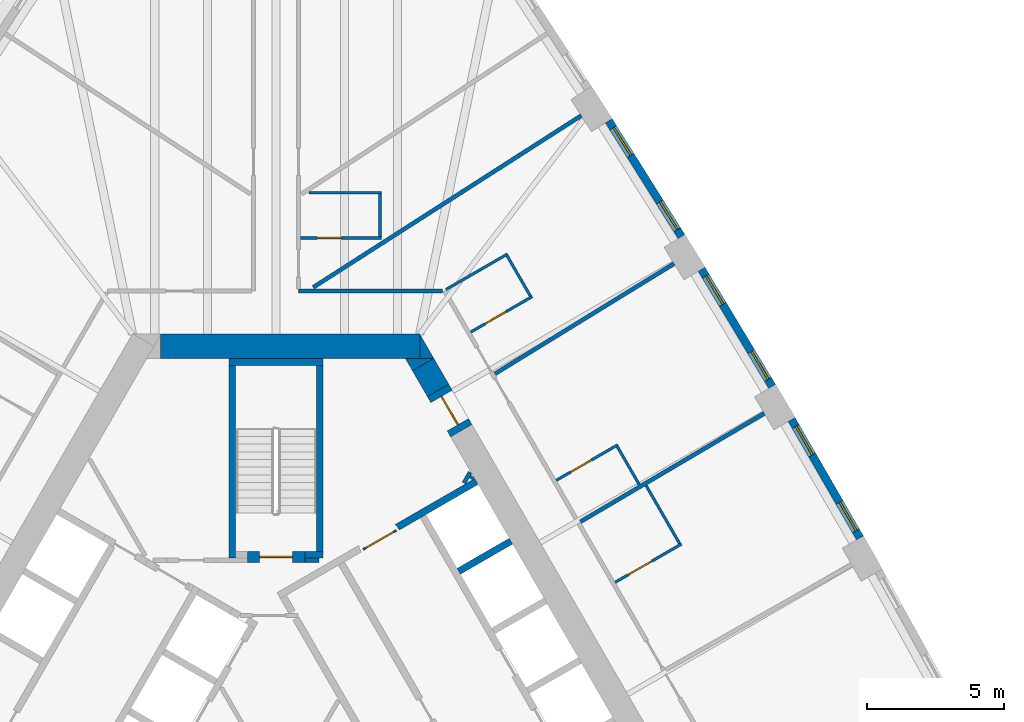
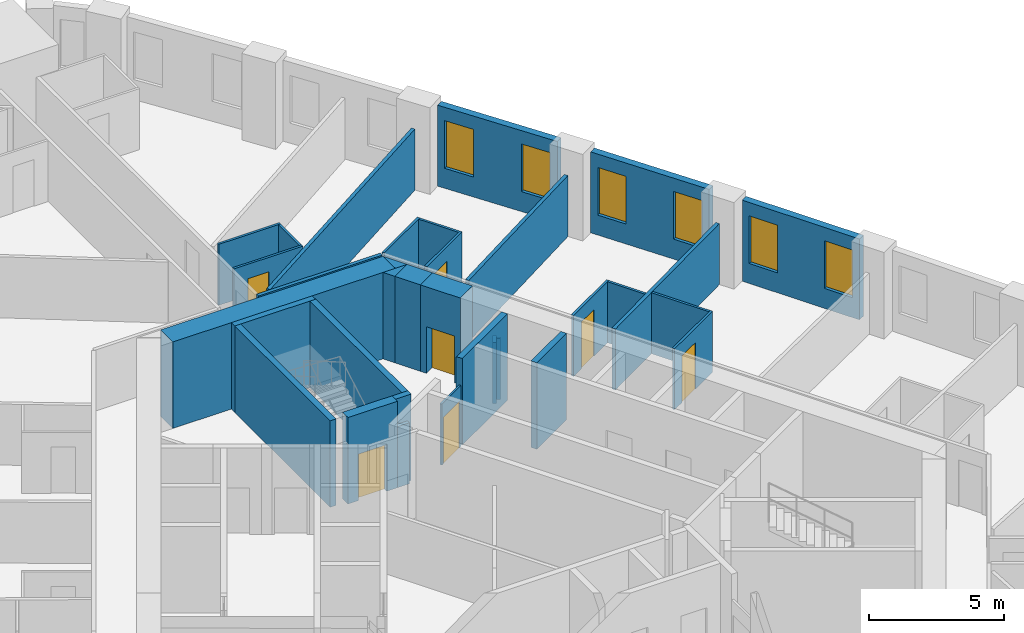
# One storey, part 10 of 12: 33 walls, 7 doors, 6 windows, 13 openings.
"""IFC4 building model written with IfcOpenShell, lengths in metres."""

import ifcopenshell
import ifcopenshell.guid

model = None  # the IFC model being written
_history = None  # IfcOwnerHistory: only IFC2X3 demands one
_inside = {}  # id of a spatial element -> (the spatial element, [elements in it])
_under = {}  # id of a project, library or spatial element -> (it, [spatial elements below it])
_declared = {}  # id of a project -> (the project, [libraries it declares])
_typed = {}  # id of a type object -> (the type object, [elements of that type])
_made_of = {}  # id of a material, layer set ... -> (it, [elements and type objects made of it])


def new_model(schema):
    """Start an empty IFC model of exactly this schema.

    Asked for "IFC4X3", IfcOpenShell would pick the latest addendum, in which some entities
    have other attributes; the version numbers below select the first issue.
    IFC2X3 requires an IfcOwnerHistory on every rooted entity: one is made here for all.
    """
    global model, _history
    if schema == "IFC4X3":
        model = ifcopenshell.file(schema_version=(4, 3, 0, 0))
    else:
        model = ifcopenshell.file(schema=schema)
    _inside.clear()
    _under.clear()
    _declared.clear()
    _typed.clear()
    _made_of.clear()
    _history = None
    if model.schema == "IFC2X3":
        org = make("IfcOrganization", Name="unknown")
        user = make(
            "IfcPersonAndOrganization",
            ThePerson=make("IfcPerson", FamilyName="unknown"),
            TheOrganization=org,
        )
        app = make(
            "IfcApplication",
            ApplicationDeveloper=org,
            Version="unknown",
            ApplicationFullName="unknown",
            ApplicationIdentifier="unknown",
        )
        _history = make(
            "IfcOwnerHistory",
            OwningUser=user,
            OwningApplication=app,
            ChangeAction="ADDED",
            CreationDate=0,
        )
    return model


def make(cls, **values):
    """One entity of the class cls with the attributes given. An attribute that is None is left unset."""
    return model.create_entity(
        cls, **{name: value for name, value in values.items() if value is not None}
    )


def rooted(cls, **values):
    """An entity with a GlobalId (a new one), such as an element, a storey or a relation."""
    return make(cls, GlobalId=ifcopenshell.guid.new(), OwnerHistory=_history, **values)


def si_unit(unit_type, name, prefix=None):
    """IfcSIUnit, for example si_unit("LENGTHUNIT", "METRE", prefix="MILLI")."""
    return make("IfcSIUnit", UnitType=unit_type, Prefix=prefix, Name=name)


def assignment(units):
    """IfcUnitAssignment: the units of a project."""
    return None if units is None else make("IfcUnitAssignment", Units=units)


def point(xyz):
    """IfcCartesianPoint."""
    return None if xyz is None else make("IfcCartesianPoint", Coordinates=xyz)


def direction(xyz):
    """IfcDirection."""
    return None if xyz is None else make("IfcDirection", DirectionRatios=xyz)


def frame(location, z_axis=None, x_axis=None):
    """IfcAxis2Placement3D, a coordinate frame: its origin and axes. An axis left out is left unset."""
    return make(
        "IfcAxis2Placement3D",
        Location=point(location),
        Axis=direction(z_axis),
        RefDirection=direction(x_axis),
    )


def frame_2d(location, x_axis=None):
    """IfcAxis2Placement2D, a coordinate frame in the plane: its origin and x axis."""
    return make(
        "IfcAxis2Placement2D", Location=point(location), RefDirection=direction(x_axis)
    )


def origin():
    """The frame at (0, 0, 0) with its axes left unset."""
    return frame((0.0, 0.0, 0.0))


def place(relative_to, where):
    """IfcLocalPlacement: puts the frame where relative to a parent placement (None: the world)."""
    return make(
        "IfcLocalPlacement", PlacementRelTo=relative_to, RelativePlacement=where
    )


def context(
    kind, dimensions, precision=None, world=None, true_north=None, identifier=None
):
    """IfcGeometricRepresentationContext, for example the 3D "Model" context."""
    return make(
        "IfcGeometricRepresentationContext",
        ContextIdentifier=identifier,
        ContextType=kind,
        CoordinateSpaceDimension=dimensions,
        Precision=precision,
        WorldCoordinateSystem=world,
        TrueNorth=true_north,
    )


def subcontext(parent, identifier, kind, view, scale=None):
    """IfcGeometricRepresentationSubContext, for example "Body" below "Model"."""
    return make(
        "IfcGeometricRepresentationSubContext",
        ContextIdentifier=identifier,
        ContextType=kind,
        ParentContext=parent,
        TargetScale=scale,
        TargetView=view,
    )


def project(units=None, contexts=None):
    """IfcProject with its units and contexts."""
    return rooted(
        "IfcProject",
        Name="project",
        RepresentationContexts=contexts,
        UnitsInContext=assignment(units),
    )


def spatial(cls, under=None, at=None, **own):
    """A site, building, storey or space (cls), placed at a placement, below another one or the project."""
    s = rooted(cls, ObjectPlacement=at, **own)
    if under is not None:
        _under.setdefault(under.id(), (under, []))[1].append(s)
    return s


def polyline(points):
    """IfcPolyline through the points."""
    return make("IfcPolyline", Points=[point(p) for p in points])


def profile(cls, at=None, kind="AREA", **sizes):
    """A parametric profile (cls). Its sizes go by their IFC names, for example OverallWidth=200.0."""
    return make(cls, ProfileType=kind, Position=at, **sizes)


def rectangle(**sizes):
    """IfcRectangleProfileDef."""
    return profile("IfcRectangleProfileDef", **sizes)


def outline(outer, holes=None, kind="AREA"):
    """IfcArbitraryClosedProfileDef: a profile drawn as a closed curve; with holes, ...WithVoids."""
    if holes is None:
        return make("IfcArbitraryClosedProfileDef", ProfileType=kind, OuterCurve=outer)
    return make(
        "IfcArbitraryProfileDefWithVoids",
        ProfileType=kind,
        OuterCurve=outer,
        InnerCurves=holes,
    )


def extrude(swept, where, along, depth):
    """IfcExtrudedAreaSolid: the profile swept, set in the frame where, extruded along a direction by depth."""
    return make(
        "IfcExtrudedAreaSolid",
        SweptArea=swept,
        Position=where,
        ExtrudedDirection=direction(along),
        Depth=depth,
    )


def shape(context_of_items, identifier, shape_type, items):
    """IfcShapeRepresentation: the items that make up one representation, for example the "Body"."""
    return make(
        "IfcShapeRepresentation",
        ContextOfItems=context_of_items,
        RepresentationIdentifier=identifier,
        RepresentationType=shape_type,
        Items=items,
    )


def material(Name=None, Category=None):
    """IfcMaterial."""
    return make("IfcMaterial", Name=Name, Category=Category)


def layer(
    of_material, thickness, ventilated=None, Name=None, Category=None, Priority=None
):
    """IfcMaterialLayer: one layer of a wall or slab, of a material (None: an air gap)."""
    return make(
        "IfcMaterialLayer",
        Material=of_material,
        LayerThickness=thickness,
        IsVentilated=ventilated,
        Name=Name,
        Category=Category,
        Priority=Priority,
    )


def layer_set(layers, Name=None):
    """IfcMaterialLayerSet."""
    return make("IfcMaterialLayerSet", MaterialLayers=layers, LayerSetName=Name)


def made_of(thing, what):
    """Note that an element or type object is made of a material, layer set ...; save() writes the relation."""
    if what is not None:
        _made_of.setdefault(what.id(), (what, []))[1].append(thing)
    return thing


def type_object(cls, material=None, **own):
    """A type object (cls), such as IfcWallType, which elements share."""
    return made_of(rooted(cls, **own), material)


def element(
    cls,
    number,
    at=None,
    inside=None,
    cuts=None,
    type_object=None,
    material=None,
    context=None,
    identifier="Body",
    shape_type=None,
    held_by="IfcProductDefinitionShape",
    body=None,
    shapes=None,
    **own,
):
    """One element of the class cls, such as IfcWall. Its Tag is "e" and its number.

    at: its placement. inside: the storey or other place that contains it. cuts: it is an
    opening in that element (IfcRelVoidsElement). A single representation is given by context,
    identifier, shape_type and body (its items); several are given by shapes. held_by: the class
    of the entity that holds the representations. save() writes the other relations.
    """
    e = rooted(cls, Tag="e%d" % number, ObjectPlacement=at, **own)
    if body is not None:
        shapes = [shape(context, identifier, shape_type, body)]
    if shapes is not None:
        e.Representation = make(held_by, Representations=shapes)
    if inside is not None:
        _inside.setdefault(inside.id(), (inside, []))[1].append(e)
    if cuts is not None:
        rooted(
            "IfcRelVoidsElement", RelatingBuildingElement=cuts, RelatedOpeningElement=e
        )
    if type_object is not None:
        _typed.setdefault(type_object.id(), (type_object, []))[1].append(e)
    return made_of(e, material)


def fill(opening, filler):
    """IfcRelFillsElement: the door or window that sits in an opening."""
    return rooted(
        "IfcRelFillsElement",
        RelatingOpeningElement=opening,
        RelatedBuildingElement=filler,
    )


def aggregate(whole, parts):
    """IfcRelAggregates: a whole, such as a stair, and the parts it consists of."""
    return rooted("IfcRelAggregates", RelatingObject=whole, RelatedObjects=parts)


def save(model, path):
    """Write the relations noted so far, then the file.

    IfcRelAggregates (storeys below a building ...), IfcRelContainedInSpatialStructure (elements
    in a storey), IfcRelDefinesByType, IfcRelAssociatesMaterial and IfcRelDeclares: one each for
    every whole, place, type object, material and project.
    """
    for whole, parts in _under.values():
        aggregate(whole, parts)
    for where, things in _inside.values():
        rooted(
            "IfcRelContainedInSpatialStructure",
            RelatedElements=things,
            RelatingStructure=where,
        )
    for kind, things in _typed.values():
        rooted("IfcRelDefinesByType", RelatedObjects=things, RelatingType=kind)
    for what, things in _made_of.values():
        rooted("IfcRelAssociatesMaterial", RelatedObjects=things, RelatingMaterial=what)
    for by, libraries in _declared.values():
        rooted("IfcRelDeclares", RelatingContext=by, RelatedDefinitions=libraries)
    model.write(path)


model = new_model("IFC4")

# Units and contexts
model_context = context("Model", 3, precision=1e-05, world=origin(), true_north=direction((0.0, 1.0)))
body_context = subcontext(model_context, "Body", "Model", "MODEL_VIEW")
ifc_project = project(units=[si_unit("LENGTHUNIT", "METRE"), si_unit("AREAUNIT", "SQUARE_METRE"), si_unit("VOLUMEUNIT", "CUBIC_METRE"), si_unit("PLANEANGLEUNIT", "RADIAN"), si_unit("MASSUNIT", "GRAM", prefix="KILO")], contexts=[model_context])

# Site, building, storey
site_placement = place(None, origin())
site = spatial("IfcSite", under=ifc_project, at=site_placement, CompositionType="ELEMENT")
building_placement = place(site_placement, origin())
building = spatial("IfcBuilding", under=site, at=building_placement, Name="Mestral Congress Tower", CompositionType="ELEMENT")
storey_placement = place(building_placement, frame((0.0, 0.0, 43.199951171875)))
storey = spatial("IfcBuildingStorey", under=building, at=storey_placement, Name="L09", CompositionType="ELEMENT", Elevation=43.199951171875)

# Walls
ifc_material_1 = material(Name="Fire-rated board partition")
ifc_layer_1 = layer(ifc_material_1, 0.14990234375)
ifc_layer_set_1 = layer_set([ifc_layer_1], Name="Fire-rated board partition")
wall_type_1 = type_object("IfcWallType", Name="Core partition 150", PredefinedType="PARTITIONING", material=ifc_layer_set_1)
wall_1_placement = place(storey_placement, frame((1.050048828125, 8.62548828125, 0.0), z_axis=(0.0, 0.0, 1.0), x_axis=(1.0, 0.0, 0.0)))
element("IfcWall", 1, at=wall_1_placement, inside=storey, type_object=wall_type_1, Name="L09 core wall", PredefinedType="PARTITIONING", context=body_context, shape_type="SweptSolid", body=[
    extrude(rectangle(XDim=0.513916015625, YDim=0.14990234375, at=frame_2d((0.2568359375, 0.0))), origin(), (0.0, 0.0, 1.0), 2.75),
])
wall_2_placement = place(storey_placement, frame((6.87158203125, 11.44970703125, 0.0), z_axis=(0.0, 0.0, 1.0), x_axis=(0.499846793097, 0.866113839764, 0.0)))
element("IfcWall", 2, at=wall_2_placement, inside=storey, type_object=wall_type_1, Name="L09 core wall", PredefinedType="PARTITIONING", context=body_context, shape_type="SweptSolid", body=[
    extrude(rectangle(XDim=0.453369140625, YDim=0.14990234375, at=frame_2d((0.2265625, 0.0))), origin(), (0.0, 0.0, 1.0), 2.75),
])
wall_3_placement = place(storey_placement, frame((7.13134765625, 11.599609375, 0.0), z_axis=(0.0, 0.0, 1.0), x_axis=(0.498600033135, 0.866832167699, 0.0)))
element("IfcWall", 3, at=wall_3_placement, inside=storey, type_object=wall_type_1, Name="L09 core wall", PredefinedType="PARTITIONING", context=body_context, shape_type="SweptSolid", body=[
    extrude(rectangle(XDim=0.106689453125, YDim=0.14990234375, at=frame_2d((0.05322265625, 0.0))), origin(), (0.0, 0.0, 1.0), 2.75),
])

# Wall, opening, door
ifc_layer_2 = layer(ifc_material_1, 0.090087890625)
ifc_layer_set_2 = layer_set([ifc_layer_2], Name="Fire-rated board partition")
wall_type_2 = type_object("IfcWallType", Name="Core partition 150 door-wall 90", PredefinedType="PARTITIONING", material=ifc_layer_set_2)
wall_4_placement = place(storey_placement, frame((3.182861328125, 9.02001953125, 0.0), z_axis=(0.0, 0.0, 1.0), x_axis=(0.866034573852, 0.49998411664, 0.0)))
wall_4 = element("IfcWall", 4, at=wall_4_placement, inside=storey, type_object=wall_type_2, Name="L09 door wall", PredefinedType="PARTITIONING", context=body_context, shape_type="SweptSolid", body=[
    extrude(rectangle(XDim=1.39990234375, YDim=0.090087890625, at=frame_2d((0.699951171875, 0.0))), origin(), (0.0, 0.0, 1.0), 2.75),
])
opening_1_placement = place(wall_4_placement, frame((0.10009765625, 0.0, 0.0)))
opening_1 = element("IfcOpeningElement", 5, at=opening_1_placement, cuts=wall_4, Name="Opening LB1-WL2", PredefinedType="OPENING", context=body_context, shape_type="SweptSolid", body=[
    extrude(rectangle(XDim=1.199951171875, YDim=2.10009765625, at=frame_2d((0.60009765625, 1.050048828125))), frame((0.0, 0.054931640625, 0.0), z_axis=(0.0, -1.0, 0.0), x_axis=(1.0, 0.0, 0.0)), (0.0, 0.0, 1.0), 0.110107421875),
])
ifc_material_2 = material(Name="Fire-rated steel door set", Category="steel")
door_type_1 = type_object("IfcDoorType", Name="Core door LB 1200x2100", OperationType="SINGLE_SWING_LEFT", PredefinedType="DOOR", material=ifc_material_2)
door_1_placement = place(opening_1_placement, origin())
door_1 = element("IfcDoor", 6, at=door_1_placement, inside=storey, type_object=door_type_1, Name="Door LB1-WL2", OperationType="SINGLE_SWING_LEFT", OverallHeight=2.10009765625, OverallWidth=1.199951171875, PredefinedType="DOOR", context=body_context, shape_type="SweptSolid", body=[
    extrude(rectangle(XDim=1.199951171875, YDim=2.10009765625, at=frame_2d((0.60009765625, 1.050048828125))), frame((0.0, 0.02490234375, 0.0), z_axis=(0.0, -1.0, 0.0), x_axis=(1.0, 0.0, 0.0)), (0.0, 0.0, 1.0), 0.050048828125),
])
fill(opening_1, door_1)

# Walls
ifc_material_3 = material(Name="Concrete C60/75", Category="concrete")
ifc_layer_3 = layer(ifc_material_3, 0.89990234375)
ifc_layer_set_3 = layer_set([ifc_layer_3], Name="Concrete C60/75")
wall_type_3 = type_object("IfcWallType", Name="Core wall RC 900", PredefinedType="SOLIDWALL", material=ifc_layer_set_3)
wall_5_placement = place(storey_placement, frame((-4.224365234375, 16.449951171875, 0.0), z_axis=(0.0, 0.0, 1.0), x_axis=(1.0, 0.0, 0.0)))
element("IfcWall", 7, at=wall_5_placement, inside=storey, type_object=wall_type_3, Name="L09 core wall", PredefinedType="SOLIDWALL", context=body_context, shape_type="SweptSolid", body=[
    extrude(rectangle(XDim=9.48779296875, YDim=0.89990234375, at=frame_2d((4.743896484375, 0.0))), origin(), (0.0, 0.0, 1.0), 3.900146484375),
])
placement = place(storey_placement, origin())
element("IfcWall", 8, at=placement, inside=storey, type_object=wall_type_3, Name="L09 core wall", PredefinedType="SOLIDWALL", context=body_context, shape_type="SweptSolid", body=[
    extrude(outline(polyline([(5.265380859375, 16.0), (5.265380859375, 16.8798828125), (5.7734375, 16.0), (5.265380859375, 16.0)])), origin(), (0.0, 0.0, 1.0), 3.900146484375),
])
wall_7_placement = place(storey_placement, frame((5.92578125, 14.836181640625, 0.0), z_axis=(0.0, 0.0, 1.0), x_axis=(-0.500076735116, 0.865981096212, 0.0)))
element("IfcWall", 9, at=wall_7_placement, inside=storey, type_object=wall_type_3, Name="L09 core wall", PredefinedType="SOLIDWALL", context=body_context, shape_type="SweptSolid", body=[
    extrude(rectangle(XDim=1.093505859375, YDim=0.89990234375, at=frame_2d((0.546875, 0.0))), origin(), (0.0, 0.0, 1.0), 3.900146484375),
])
element("IfcWall", 10, at=placement, inside=storey, type_object=wall_type_3, Name="L09 core wall", PredefinedType="SOLIDWALL", context=body_context, shape_type="SweptSolid", body=[
    extrude(outline(polyline([(4.734375, 16.0), (5.750244140625, 16.0), (4.98828125, 15.56005859375), (4.734375, 16.0)])), origin(), (0.0, 0.0, 1.0), 3.900146484375),
])

# Wall, opening, door
wall_9_placement = place(storey_placement, frame((5.92578125, 14.836181640625, 0.0), z_axis=(0.0, 0.0, 1.0), x_axis=(0.500062241894, -0.865989465428, 0.0)))
wall_9 = element("IfcWall", 11, at=wall_9_placement, inside=storey, type_object=wall_type_3, Name="L09 door wall", PredefinedType="SOLIDWALL", context=body_context, shape_type="SweptSolid", body=[
    extrude(rectangle(XDim=1.699951171875, YDim=0.89990234375, at=frame_2d((0.85009765625, 0.0))), origin(), (0.0, 0.0, 1.0), 3.900146484375),
])
opening_2_placement = place(wall_9_placement, frame((0.25, 0.0, 0.0)))
opening_2 = element("IfcOpeningElement", 12, at=opening_2_placement, cuts=wall_9, Name="Opening XD2", PredefinedType="OPENING", context=body_context, shape_type="SweptSolid", body=[
    extrude(rectangle(XDim=1.199951171875, YDim=2.10009765625, at=frame_2d((0.60009765625, 1.050048828125))), frame((0.0, 0.4599609375, 0.0), z_axis=(0.0, -1.0, 0.0), x_axis=(1.0, 0.0, 0.0)), (0.0, 0.0, 1.0), 0.919921875),
])
door_type_2 = type_object("IfcDoorType", Name="Core door XD 1200x2100", OperationType="SINGLE_SWING_LEFT", PredefinedType="DOOR", material=ifc_material_2)
door_2_placement = place(opening_2_placement, origin())
door_2 = element("IfcDoor", 13, at=door_2_placement, inside=storey, type_object=door_type_2, Name="Door XD2", OperationType="SINGLE_SWING_LEFT", OverallHeight=2.10009765625, OverallWidth=1.199951171875, PredefinedType="DOOR", context=body_context, shape_type="SweptSolid", body=[
    extrude(rectangle(XDim=1.199951171875, YDim=2.10009765625, at=frame_2d((0.60009765625, 1.050048828125))), frame((0.0, 0.02490234375, 0.0), z_axis=(0.0, -1.0, 0.0), x_axis=(1.0, 0.0, 0.0)), (0.0, 0.0, 1.0), 0.050048828125),
])
fill(opening_2, door_2)

# Wall, openings, windows
ifc_material_4 = material(Name="Precast concrete C40/50 with limestone facing", Category="masonry")
ifc_layer_4 = layer(ifc_material_4, 0.2900390625)
ifc_layer_set_4 = layer_set([ifc_layer_4], Name="Precast concrete C40/50 with limestone facing")
wall_type_4 = type_object("IfcWallType", Name="Facade stone wall 290", PredefinedType="SOLIDWALL", material=ifc_layer_set_4)
wall_10_placement = place(storey_placement, frame((21.357177734375, 9.44482421875, 0.0), z_axis=(0.0, 0.0, 1.0), x_axis=(-0.50002123722, 0.866013142123, 0.0)))
wall_10 = element("IfcWall", 14, at=wall_10_placement, inside=storey, type_object=wall_type_4, Name="Facade wall F1-04", PredefinedType="SOLIDWALL", context=body_context, shape_type="SweptSolid", body=[
    extrude(rectangle(XDim=4.998291015625, YDim=0.2900390625, at=frame_2d((2.4990234375, 0.0))), origin(), (0.0, 0.0, 1.0), 3.650146484375),
])
opening_3_placement = place(wall_10_placement, frame((0.297119140625, 0.0, 0.89990234375)))
opening_3 = element("IfcOpeningElement", 15, at=opening_3_placement, cuts=wall_10, Name="Opening W1", PredefinedType="OPENING", context=body_context, shape_type="SweptSolid", body=[
    extrude(rectangle(XDim=1.199951171875, YDim=2.14990234375, at=frame_2d((0.60009765625, 1.074951171875))), frame((0.0, 0.155029296875, 0.0), z_axis=(0.0, -1.0, 0.0), x_axis=(1.0, 0.0, 0.0)), (0.0, 0.0, 1.0), 0.31005859375),
])
opening_4_placement = place(wall_10_placement, frame((3.501220703125, 0.0, 0.89990234375)))
opening_4 = element("IfcOpeningElement", 16, at=opening_4_placement, cuts=wall_10, Name="Opening W1", PredefinedType="OPENING", context=body_context, shape_type="SweptSolid", body=[
    extrude(rectangle(XDim=1.199951171875, YDim=2.14990234375, at=frame_2d((0.60009765625, 1.074951171875))), frame((0.0, 0.155029296875, 0.0), z_axis=(0.0, -1.0, 0.0), x_axis=(1.0, 0.0, 0.0)), (0.0, 0.0, 1.0), 0.31005859375),
])
ifc_material_5 = material(Name="Clear low-emissivity double glazing", Category="glass")
window_type = type_object("IfcWindowType", Name="Facade punched window 1200 x 2150 sill 900", PartitioningType="DOUBLE_PANEL_VERTICAL", PredefinedType="WINDOW", material=ifc_material_5)
window_1_placement = place(opening_3_placement, origin())
window_1 = element("IfcWindow", 17, at=window_1_placement, inside=storey, type_object=window_type, Name="Window F1-04a", OverallHeight=2.14990234375, OverallWidth=1.199951171875, PartitioningType="DOUBLE_PANEL_VERTICAL", PredefinedType="WINDOW", context=body_context, shape_type="SweptSolid", body=[
    extrude(rectangle(XDim=1.199951171875, YDim=2.14990234375, at=frame_2d((0.60009765625, 1.074951171875))), frame((0.0, 0.01513671875, 0.0), z_axis=(0.0, -1.0, 0.0), x_axis=(1.0, 0.0, 0.0)), (0.0, 0.0, 1.0), 0.06005859375),
])
fill(opening_3, window_1)
window_2_placement = place(opening_4_placement, origin())
window_2 = element("IfcWindow", 18, at=window_2_placement, inside=storey, type_object=window_type, Name="Window F1-04b", OverallHeight=2.14990234375, OverallWidth=1.199951171875, PartitioningType="DOUBLE_PANEL_VERTICAL", PredefinedType="WINDOW", context=body_context, shape_type="SweptSolid", body=[
    extrude(rectangle(XDim=1.199951171875, YDim=2.14990234375, at=frame_2d((0.60009765625, 1.074951171875))), frame((0.0, 0.01513671875, 0.0), z_axis=(0.0, -1.0, 0.0), x_axis=(1.0, 0.0, 0.0)), (0.0, 0.0, 1.0), 0.06005859375),
])
fill(opening_4, window_2)

wall_11_placement = place(storey_placement, frame((18.143310546875, 14.985595703125, 0.0), z_axis=(0.0, 0.0, 1.0), x_axis=(-0.515938796285, 0.856625448191, 0.0)))
wall_11 = element("IfcWall", 19, at=wall_11_placement, inside=storey, type_object=wall_type_4, Name="Facade wall F1-05", PredefinedType="SOLIDWALL", context=body_context, shape_type="SweptSolid", body=[
    extrude(rectangle(XDim=4.998291015625, YDim=0.2900390625, at=frame_2d((2.4990234375, 0.0))), origin(), (0.0, 0.0, 1.0), 3.650146484375),
])
opening_5_placement = place(wall_11_placement, frame((0.297119140625, 0.0, 0.89990234375)))
opening_5 = element("IfcOpeningElement", 20, at=opening_5_placement, cuts=wall_11, Name="Opening W1", PredefinedType="OPENING", context=body_context, shape_type="SweptSolid", body=[
    extrude(rectangle(XDim=1.199951171875, YDim=2.14990234375, at=frame_2d((0.60009765625, 1.074951171875))), frame((0.0, 0.155029296875, 0.0), z_axis=(0.0, -1.0, 0.0), x_axis=(1.0, 0.0, 0.0)), (0.0, 0.0, 1.0), 0.31005859375),
])
opening_6_placement = place(wall_11_placement, frame((3.501220703125, 0.0, 0.89990234375)))
opening_6 = element("IfcOpeningElement", 21, at=opening_6_placement, cuts=wall_11, Name="Opening W1", PredefinedType="OPENING", context=body_context, shape_type="SweptSolid", body=[
    extrude(rectangle(XDim=1.199951171875, YDim=2.14990234375, at=frame_2d((0.60009765625, 1.074951171875))), frame((0.0, 0.155029296875, 0.0), z_axis=(0.0, -1.0, 0.0), x_axis=(1.0, 0.0, 0.0)), (0.0, 0.0, 1.0), 0.31005859375),
])
window_3_placement = place(opening_5_placement, origin())
window_3 = element("IfcWindow", 22, at=window_3_placement, inside=storey, type_object=window_type, Name="Window F1-05a", OverallHeight=2.14990234375, OverallWidth=1.199951171875, PartitioningType="DOUBLE_PANEL_VERTICAL", PredefinedType="WINDOW", context=body_context, shape_type="SweptSolid", body=[
    extrude(rectangle(XDim=1.199951171875, YDim=2.14990234375, at=frame_2d((0.60009765625, 1.074951171875))), frame((0.0, 0.01513671875, 0.0), z_axis=(0.0, -1.0, 0.0), x_axis=(1.0, 0.0, 0.0)), (0.0, 0.0, 1.0), 0.06005859375),
])
fill(opening_5, window_3)
window_4_placement = place(opening_6_placement, origin())
window_4 = element("IfcWindow", 23, at=window_4_placement, inside=storey, type_object=window_type, Name="Window F1-05b", OverallHeight=2.14990234375, OverallWidth=1.199951171875, PartitioningType="DOUBLE_PANEL_VERTICAL", PredefinedType="WINDOW", context=body_context, shape_type="SweptSolid", body=[
    extrude(rectangle(XDim=1.199951171875, YDim=2.14990234375, at=frame_2d((0.60009765625, 1.074951171875))), frame((0.0, 0.01513671875, 0.0), z_axis=(0.0, -1.0, 0.0), x_axis=(1.0, 0.0, 0.0)), (0.0, 0.0, 1.0), 0.06005859375),
])
fill(opening_6, window_4)

wall_12_placement = place(storey_placement, frame((14.827392578125, 20.466064453125, 0.0), z_axis=(0.0, 0.0, 1.0), x_axis=(-0.531688286542, 0.846940119462, 0.0)))
wall_12 = element("IfcWall", 24, at=wall_12_placement, inside=storey, type_object=wall_type_4, Name="Facade wall F1-06", PredefinedType="SOLIDWALL", context=body_context, shape_type="SweptSolid", body=[
    extrude(rectangle(XDim=4.998291015625, YDim=0.2900390625, at=frame_2d((2.4990234375, 0.0))), origin(), (0.0, 0.0, 1.0), 3.650146484375),
])
opening_7_placement = place(wall_12_placement, frame((0.297119140625, 0.0, 0.89990234375)))
opening_7 = element("IfcOpeningElement", 25, at=opening_7_placement, cuts=wall_12, Name="Opening W1", PredefinedType="OPENING", context=body_context, shape_type="SweptSolid", body=[
    extrude(rectangle(XDim=1.199951171875, YDim=2.14990234375, at=frame_2d((0.60009765625, 1.074951171875))), frame((0.0, 0.155029296875, 0.0), z_axis=(0.0, -1.0, 0.0), x_axis=(1.0, 0.0, 0.0)), (0.0, 0.0, 1.0), 0.31005859375),
])
opening_8_placement = place(wall_12_placement, frame((3.501220703125, 0.0, 0.89990234375)))
opening_8 = element("IfcOpeningElement", 26, at=opening_8_placement, cuts=wall_12, Name="Opening W1", PredefinedType="OPENING", context=body_context, shape_type="SweptSolid", body=[
    extrude(rectangle(XDim=1.199951171875, YDim=2.14990234375, at=frame_2d((0.60009765625, 1.074951171875))), frame((0.0, 0.155029296875, 0.0), z_axis=(0.0, -1.0, 0.0), x_axis=(1.0, 0.0, 0.0)), (0.0, 0.0, 1.0), 0.31005859375),
])
window_5_placement = place(opening_7_placement, origin())
window_5 = element("IfcWindow", 27, at=window_5_placement, inside=storey, type_object=window_type, Name="Window F1-06a", OverallHeight=2.14990234375, OverallWidth=1.199951171875, PartitioningType="DOUBLE_PANEL_VERTICAL", PredefinedType="WINDOW", context=body_context, shape_type="SweptSolid", body=[
    extrude(rectangle(XDim=1.199951171875, YDim=2.14990234375, at=frame_2d((0.60009765625, 1.074951171875))), frame((0.0, 0.01513671875, 0.0), z_axis=(0.0, -1.0, 0.0), x_axis=(1.0, 0.0, 0.0)), (0.0, 0.0, 1.0), 0.06005859375),
])
fill(opening_7, window_5)
window_6_placement = place(opening_8_placement, origin())
window_6 = element("IfcWindow", 28, at=window_6_placement, inside=storey, type_object=window_type, Name="Window F1-06b", OverallHeight=2.14990234375, OverallWidth=1.199951171875, PartitioningType="DOUBLE_PANEL_VERTICAL", PredefinedType="WINDOW", context=body_context, shape_type="SweptSolid", body=[
    extrude(rectangle(XDim=1.199951171875, YDim=2.14990234375, at=frame_2d((0.60009765625, 1.074951171875))), frame((0.0, 0.01513671875, 0.0), z_axis=(0.0, -1.0, 0.0), x_axis=(1.0, 0.0, 0.0)), (0.0, 0.0, 1.0), 0.06005859375),
])
fill(opening_8, window_6)

# Wall, opening, door
ifc_material_6 = material(Name="Gypsum board partition on metal studs with mineral wool", Category="composite")
ifc_layer_5 = layer(ifc_material_6, 0.10009765625)
ifc_layer_set_5 = layer_set([ifc_layer_5], Name="Gypsum board partition on metal studs with mineral wool")
wall_type_5 = type_object("IfcWallType", Name="Hotel partition wall 100", PredefinedType="PARTITIONING", material=ifc_layer_set_5)
wall_13_placement = place(storey_placement, frame((12.402099609375, 7.819091796875, 0.0), z_axis=(0.0, 0.0, 1.0), x_axis=(0.866034573852, 0.49998411664, 0.0)))
wall_13 = element("IfcWall", 29, at=wall_13_placement, inside=storey, type_object=wall_type_5, Name="L09-h-pod14a", PredefinedType="PARTITIONING", context=body_context, shape_type="SweptSolid", body=[
    extrude(rectangle(XDim=2.7998046875, YDim=0.10009765625, at=frame_2d((1.39990234375, 0.0))), origin(), (0.0, 0.0, 1.0), 2.75),
])
opening_9_placement = place(wall_13_placement, frame((0.550048828125, 0.0, 0.0)))
opening_9 = element("IfcOpeningElement", 30, at=opening_9_placement, cuts=wall_13, Name="Opening H02-021", PredefinedType="OPENING", context=body_context, shape_type="SweptSolid", body=[
    extrude(rectangle(XDim=1.0, YDim=2.10009765625, at=frame_2d((0.5, 1.050048828125))), frame((0.0, 0.06005859375, 0.0), z_axis=(0.0, -1.0, 0.0), x_axis=(1.0, 0.0, 0.0)), (0.0, 0.0, 1.0), 0.1201171875),
])
ifc_material_7 = material(Name="Timber veneer door leaf in timber frame", Category="wood")
door_type_3 = type_object("IfcDoorType", Name="Accessible bathroom door 1000", OperationType="SINGLE_SWING_LEFT", PredefinedType="DOOR", material=ifc_material_7)
door_3_placement = place(opening_9_placement, origin())
door_3 = element("IfcDoor", 31, at=door_3_placement, inside=storey, type_object=door_type_3, Name="L09-h-d021", OperationType="SINGLE_SWING_LEFT", OverallHeight=2.10009765625, OverallWidth=1.0, PredefinedType="DOOR", context=body_context, shape_type="SweptSolid", body=[
    extrude(rectangle(XDim=1.0, YDim=2.10009765625, at=frame_2d((0.5, 1.050048828125))), frame((0.0, 0.02490234375, 0.0), z_axis=(0.0, -1.0, 0.0), x_axis=(1.0, 0.0, 0.0)), (0.0, 0.0, 1.0), 0.050048828125),
])
fill(opening_9, door_3)

# Wall
wall_14_placement = place(storey_placement, frame((14.758544921875, 9.2373046875, 0.0), z_axis=(0.0, 0.0, 1.0), x_axis=(-0.499943856944, 0.866057815567, 0.0)))
element("IfcWall", 32, at=wall_14_placement, inside=storey, type_object=wall_type_5, Name="L09-h-pod14b", PredefinedType="PARTITIONING", context=body_context, shape_type="SweptSolid", body=[
    extrude(rectangle(XDim=2.449951171875, YDim=0.10009765625, at=frame_2d((1.22509765625, 0.0))), origin(), (0.0, 0.0, 1.0), 2.75),
])

# Wall, opening, door
wall_15_placement = place(storey_placement, frame((12.500244140625, 12.84912109375, 0.0), z_axis=(0.0, 0.0, 1.0), x_axis=(-0.866021400173, -0.500006934395, 0.0)))
wall_15 = element("IfcWall", 33, at=wall_15_placement, inside=storey, type_object=wall_type_5, Name="L09-h-pod15a", PredefinedType="PARTITIONING", context=body_context, shape_type="SweptSolid", body=[
    extrude(rectangle(XDim=2.60009765625, YDim=0.10009765625, at=frame_2d((1.300048828125, 0.0))), origin(), (0.0, 0.0, 1.0), 2.75),
])
opening_10_placement = place(wall_15_placement, frame((1.10009765625, 0.0, 0.0)))
opening_10 = element("IfcOpeningElement", 34, at=opening_10_placement, cuts=wall_15, Name="Opening H02-023", PredefinedType="OPENING", context=body_context, shape_type="SweptSolid", body=[
    extrude(rectangle(XDim=0.89990234375, YDim=2.10009765625, at=frame_2d((0.449951171875, 1.050048828125))), frame((0.0, 0.06005859375, 0.0), z_axis=(0.0, -1.0, 0.0), x_axis=(1.0, 0.0, 0.0)), (0.0, 0.0, 1.0), 0.1201171875),
])
door_type_4 = type_object("IfcDoorType", Name="Bathroom door 900", OperationType="SINGLE_SWING_LEFT", PredefinedType="DOOR", material=ifc_material_7)
door_4_placement = place(opening_10_placement, origin())
door_4 = element("IfcDoor", 35, at=door_4_placement, inside=storey, type_object=door_type_4, Name="L09-h-d023", OperationType="SINGLE_SWING_RIGHT", OverallHeight=2.10009765625, OverallWidth=0.89990234375, PredefinedType="DOOR", context=body_context, shape_type="SweptSolid", body=[
    extrude(rectangle(XDim=0.89990234375, YDim=2.10009765625, at=frame_2d((0.449951171875, 1.050048828125))), frame((0.0, 0.02490234375, 0.0), z_axis=(0.0, -1.0, 0.0), x_axis=(1.0, 0.0, 0.0)), (0.0, 0.0, 1.0), 0.050048828125),
])
fill(opening_10, door_4)

# Wall
wall_16_placement = place(storey_placement, frame((12.48193359375, 12.78076171875, 0.0), z_axis=(0.0, 0.0, 1.0), x_axis=(0.500061482766, -0.865989903783, 0.0)))
element("IfcWall", 36, at=wall_16_placement, inside=storey, type_object=wall_type_5, Name="L09-h-pod15b", PredefinedType="PARTITIONING", context=body_context, shape_type="SweptSolid", body=[
    extrude(rectangle(XDim=1.599853515625, YDim=0.10009765625, at=frame_2d((0.7998046875, 0.0))), origin(), (0.0, 0.0, 1.0), 2.75),
])

# Wall, opening, door
wall_17_placement = place(storey_placement, frame((7.1181640625, 16.970947265625, 0.0), z_axis=(0.0, 0.0, 1.0), x_axis=(0.866021400173, 0.500006934395, 0.0)))
wall_17 = element("IfcWall", 37, at=wall_17_placement, inside=storey, type_object=wall_type_5, Name="L09-h-pod16a", PredefinedType="PARTITIONING", context=body_context, shape_type="SweptSolid", body=[
    extrude(rectangle(XDim=2.60009765625, YDim=0.10009765625, at=frame_2d((1.300048828125, 0.0))), origin(), (0.0, 0.0, 1.0), 2.75),
])
opening_11_placement = place(wall_17_placement, frame((0.60009765625, 0.0, 0.0)))
opening_11 = element("IfcOpeningElement", 38, at=opening_11_placement, cuts=wall_17, Name="Opening H02-025", PredefinedType="OPENING", context=body_context, shape_type="SweptSolid", body=[
    extrude(rectangle(XDim=0.89990234375, YDim=2.10009765625, at=frame_2d((0.449951171875, 1.050048828125))), frame((0.0, 0.06005859375, 0.0), z_axis=(0.0, -1.0, 0.0), x_axis=(1.0, 0.0, 0.0)), (0.0, 0.0, 1.0), 0.1201171875),
])
door_5_placement = place(opening_11_placement, origin())
door_5 = element("IfcDoor", 39, at=door_5_placement, inside=storey, type_object=door_type_4, Name="L09-h-d025", OperationType="SINGLE_SWING_LEFT", OverallHeight=2.10009765625, OverallWidth=0.89990234375, PredefinedType="DOOR", context=body_context, shape_type="SweptSolid", body=[
    extrude(rectangle(XDim=0.89990234375, YDim=2.10009765625, at=frame_2d((0.449951171875, 1.050048828125))), frame((0.0, 0.02490234375, 0.0), z_axis=(0.0, -1.0, 0.0), x_axis=(1.0, 0.0, 0.0)), (0.0, 0.0, 1.0), 0.050048828125),
])
fill(opening_11, door_5)

# Walls
wall_18_placement = place(storey_placement, frame((9.301513671875, 18.289306640625, 0.0), z_axis=(0.0, 0.0, 1.0), x_axis=(-0.500062241894, 0.865989465428, 0.0)))
element("IfcWall", 40, at=wall_18_placement, inside=storey, type_object=wall_type_5, Name="L09-h-pod16b", PredefinedType="PARTITIONING", context=body_context, shape_type="SweptSolid", body=[
    extrude(rectangle(XDim=1.699951171875, YDim=0.10009765625, at=frame_2d((0.85009765625, 0.0))), origin(), (0.0, 0.0, 1.0), 2.75),
])
wall_19_placement = place(storey_placement, frame((6.21826171875, 18.52978515625, 0.0), z_axis=(0.0, 0.0, 1.0), x_axis=(0.865997922154, 0.500047596559, 0.0)))
element("IfcWall", 41, at=wall_19_placement, inside=storey, type_object=wall_type_5, Name="L09-h-pod16c", PredefinedType="PARTITIONING", context=body_context, shape_type="SweptSolid", body=[
    extrude(rectangle(XDim=2.599853515625, YDim=0.10009765625, at=frame_2d((1.2998046875, 0.0))), origin(), (0.0, 0.0, 1.0), 2.75),
])

# Wall, opening, door
wall_20_placement = place(storey_placement, frame((0.89990234375, 20.41552734375, 0.0), z_axis=(0.0, 0.0, 1.0), x_axis=(1.0, 0.0, 0.0)))
wall_20 = element("IfcWall", 42, at=wall_20_placement, inside=storey, type_object=wall_type_5, Name="L09-h-pod17a", PredefinedType="PARTITIONING", context=body_context, shape_type="SweptSolid", body=[
    extrude(rectangle(XDim=2.9501953125, YDim=0.10009765625, at=frame_2d((1.47509765625, 0.0))), origin(), (0.0, 0.0, 1.0), 2.75),
])
opening_12_placement = place(wall_20_placement, frame((0.60009765625, 0.0, 0.0)))
opening_12 = element("IfcOpeningElement", 43, at=opening_12_placement, cuts=wall_20, Name="Opening H02-027", PredefinedType="OPENING", context=body_context, shape_type="SweptSolid", body=[
    extrude(rectangle(XDim=0.89990234375, YDim=2.10009765625, at=frame_2d((0.449951171875, 1.050048828125))), frame((0.0, 0.06005859375, 0.0), z_axis=(0.0, -1.0, 0.0), x_axis=(1.0, 0.0, 0.0)), (0.0, 0.0, 1.0), 0.1201171875),
])
door_6_placement = place(opening_12_placement, origin())
door_6 = element("IfcDoor", 44, at=door_6_placement, inside=storey, type_object=door_type_4, Name="L09-h-d027", OperationType="SINGLE_SWING_LEFT", OverallHeight=2.10009765625, OverallWidth=0.89990234375, PredefinedType="DOOR", context=body_context, shape_type="SweptSolid", body=[
    extrude(rectangle(XDim=0.89990234375, YDim=2.10009765625, at=frame_2d((0.449951171875, 1.050048828125))), frame((0.0, 0.02490234375, 0.0), z_axis=(0.0, -1.0, 0.0), x_axis=(1.0, 0.0, 0.0)), (0.0, 0.0, 1.0), 0.050048828125),
])
fill(opening_12, door_6)

# Walls
wall_21_placement = place(storey_placement, frame((3.800048828125, 20.465576171875, 0.0), z_axis=(0.0, 0.0, 1.0), x_axis=(0.0, 1.0, 0.0)))
element("IfcWall", 45, at=wall_21_placement, inside=storey, type_object=wall_type_5, Name="L09-h-pod17b", PredefinedType="PARTITIONING", context=body_context, shape_type="SweptSolid", body=[
    extrude(rectangle(XDim=1.550048828125, YDim=0.10009765625, at=frame_2d((0.77490234375, 0.0))), origin(), (0.0, 0.0, 1.0), 2.75),
])
wall_22_placement = place(storey_placement, frame((1.2099609375, 22.065673828125, 0.0), z_axis=(0.0, 0.0, 1.0), x_axis=(1.0, 0.0, 0.0)))
element("IfcWall", 46, at=wall_22_placement, inside=storey, type_object=wall_type_5, Name="L09-h-pod17c", PredefinedType="PARTITIONING", context=body_context, shape_type="SweptSolid", body=[
    extrude(rectangle(XDim=2.64013671875, YDim=0.10009765625, at=frame_2d((1.320068359375, 0.0))), origin(), (0.0, 0.0, 1.0), 2.75),
])
ifc_layer_6 = layer(ifc_material_6, 0.14990234375)
ifc_layer_set_6 = layer_set([ifc_layer_6], Name="Gypsum board partition on metal studs with mineral wool")
wall_type_6 = type_object("IfcWallType", Name="Hotel partition wall 150", PredefinedType="PARTITIONING", material=ifc_layer_set_6)
wall_23_placement = place(storey_placement, frame((0.824951171875, 18.47509765625, 0.0), z_axis=(0.0, 0.0, 1.0), x_axis=(1.0, 0.0, 0.0)))
element("IfcWall", 47, at=wall_23_placement, inside=storey, type_object=wall_type_6, Name="L09-h-cw04", PredefinedType="PARTITIONING", context=body_context, shape_type="SweptSolid", body=[
    extrude(rectangle(XDim=5.268310546875, YDim=0.14990234375, at=frame_2d((2.63427734375, 0.0))), origin(), (0.0, 0.0, 1.0), 2.75),
])
wall_24_placement = place(storey_placement, frame((11.16015625, 24.887939453125, 0.0), z_axis=(0.0, 0.0, 1.0), x_axis=(-0.84199813156, -0.539480441211, 0.0)))
element("IfcWall", 48, at=wall_24_placement, inside=storey, type_object=wall_type_6, Name="L09-h-pw16", PredefinedType="PARTITIONING", context=body_context, shape_type="SweptSolid", body=[
    extrude(rectangle(XDim=11.63818359375, YDim=0.14990234375, at=frame_2d((5.819091796875, 0.0))), origin(), (0.0, 0.0, 1.0), 2.75),
])
wall_25_placement = place(storey_placement, frame((14.55810546875, 19.474609375, 0.0), z_axis=(0.0, 0.0, 1.0), x_axis=(-0.851829455142, -0.523819223925, 0.0)))
element("IfcWall", 49, at=wall_25_placement, inside=storey, type_object=wall_type_6, Name="L09-h-pw18", PredefinedType="PARTITIONING", context=body_context, shape_type="SweptSolid", body=[
    extrude(rectangle(XDim=7.68798828125, YDim=0.14990234375, at=frame_2d((3.843994140625, 0.0))), origin(), (0.0, 0.0, 1.0), 2.75),
])
wall_26_placement = place(storey_placement, frame((17.85595703125, 13.999267578125, 0.0), z_axis=(0.0, 0.0, 1.0), x_axis=(-0.861371519381, -0.507975497047, 0.0)))
element("IfcWall", 50, at=wall_26_placement, inside=storey, type_object=wall_type_6, Name="L09-h-pw19", PredefinedType="PARTITIONING", context=body_context, shape_type="SweptSolid", body=[
    extrude(rectangle(XDim=7.8037109375, YDim=0.14990234375, at=frame_2d((3.90185546875, 0.0))), origin(), (0.0, 0.0, 1.0), 2.75),
])
ifc_layer_7 = layer(ifc_material_3, 0.25)
ifc_layer_set_7 = layer_set([ifc_layer_7], Name="Concrete C60/75")
wall_type_7 = type_object("IfcWallType", Name="Shaft wall RC 250", PredefinedType="SOLIDWALL", material=ifc_layer_set_7)
wall_27_placement = place(storey_placement, frame((6.68359375, 8.2236328125, 0.0), z_axis=(0.0, 0.0, 1.0), x_axis=(0.86605622881, 0.499946605688, 0.0)))
element("IfcWall", 51, at=wall_27_placement, inside=storey, type_object=wall_type_7, Name="L09 core wall", PredefinedType="SOLIDWALL", context=body_context, shape_type="SweptSolid", body=[
    extrude(rectangle(XDim=2.199951171875, YDim=0.25, at=frame_2d((1.10009765625, 0.0))), origin(), (0.0, 0.0, 1.0), 3.900146484375),
])
element("IfcWall", 52, at=placement, inside=storey, type_object=wall_type_7, Name="L09 core wall", PredefinedType="SOLIDWALL", context=body_context, shape_type="SweptSolid", body=[
    extrude(outline(polyline([(5.26953125, 10.172607421875), (5.26953125, 10.172607421875), (4.68310546875, 9.833984375), (4.50439453125, 9.73095703125), (4.44189453125, 9.839111328125), (4.431396484375, 9.855712890625), (4.419189453125, 9.87109375), (4.405517578125, 9.885009765625), (4.390380859375, 9.897705078125), (4.374267578125, 9.908935546875), (4.357177734375, 9.91845703125), (4.34130859375, 9.92529296875), (7.266357421875, 11.6142578125), (7.391357421875, 11.397705078125), (5.486083984375, 10.2978515625), (5.486083984375, 10.2978515625), (5.26953125, 10.1728515625), (5.26953125, 10.172607421875)])), origin(), (0.0, 0.0, 1.0), 3.900146484375),
])
ifc_layer_8 = layer(ifc_material_3, 0.25)
ifc_layer_set_8 = layer_set([ifc_layer_8], Name="Concrete C60/75")
wall_type_8 = type_object("IfcWallType", Name="Stair wall RC 250", PredefinedType="SOLIDWALL", material=ifc_layer_set_8)
wall_29_placement = place(storey_placement, frame((-1.72509765625, 15.875, 0.0), z_axis=(0.0, 0.0, 1.0), x_axis=(1.0, 0.0, 0.0)))
element("IfcWall", 53, at=wall_29_placement, inside=storey, type_object=wall_type_8, Name="L09 core wall", PredefinedType="SOLIDWALL", context=body_context, shape_type="SweptSolid", body=[
    extrude(rectangle(XDim=3.4501953125, YDim=0.25, at=frame_2d((1.72509765625, 0.0))), origin(), (0.0, 0.0, 1.0), 3.900146484375),
])
wall_30_placement = place(storey_placement, frame((1.60009765625, 8.949951171875, 0.0), z_axis=(0.0, 0.0, 1.0), x_axis=(0.0, 1.0, 0.0)))
element("IfcWall", 54, at=wall_30_placement, inside=storey, type_object=wall_type_8, Name="L09 core wall", PredefinedType="SOLIDWALL", context=body_context, shape_type="SweptSolid", body=[
    extrude(rectangle(XDim=6.800048828125, YDim=0.25, at=frame_2d((3.39990234375, 0.0))), origin(), (0.0, 0.0, 1.0), 3.900146484375),
])
wall_31_placement = place(storey_placement, frame((1.050048828125, 8.824951171875, 0.0), z_axis=(0.0, 0.0, 1.0), x_axis=(1.0, 0.0, 0.0)))
element("IfcWall", 55, at=wall_31_placement, inside=storey, type_object=wall_type_8, Name="L09 core wall", PredefinedType="SOLIDWALL", context=body_context, shape_type="SweptSolid", body=[
    extrude(rectangle(XDim=0.675048828125, YDim=0.25, at=frame_2d((0.33740234375, 0.0))), origin(), (0.0, 0.0, 1.0), 3.900146484375),
])
wall_32_placement = place(storey_placement, frame((-1.60009765625, 8.699951171875, 0.0), z_axis=(0.0, 0.0, 1.0), x_axis=(0.0, 1.0, 0.0)))
element("IfcWall", 56, at=wall_32_placement, inside=storey, type_object=wall_type_8, Name="L09 core wall", PredefinedType="SOLIDWALL", context=body_context, shape_type="SweptSolid", body=[
    extrude(rectangle(XDim=7.050048828125, YDim=0.25, at=frame_2d((3.52490234375, 0.0))), origin(), (0.0, 0.0, 1.0), 3.900146484375),
])

# Wall, opening, door
ifc_layer_9 = layer(ifc_material_3, 0.39990234375)
ifc_layer_set_9 = layer_set([ifc_layer_9], Name="Concrete C60/75")
wall_type_9 = type_object("IfcWallType", Name="Stair wall RC 250 door-wall 400", PredefinedType="SOLIDWALL", material=ifc_layer_set_9)
wall_33_placement = place(storey_placement, frame((1.050048828125, 8.75, 0.0), z_axis=(0.0, 0.0, 1.0), x_axis=(-1.0, 0.0, 0.0)))
wall_33 = element("IfcWall", 57, at=wall_33_placement, inside=storey, type_object=wall_type_9, Name="L09 door wall", PredefinedType="SOLIDWALL", context=body_context, shape_type="SweptSolid", body=[
    extrude(rectangle(XDim=2.10009765625, YDim=0.39990234375, at=frame_2d((1.050048828125, 0.0))), origin(), (0.0, 0.0, 1.0), 3.900146484375),
])
opening_13_placement = place(wall_33_placement, frame((0.449951171875, 0.0, 0.0)))
opening_13 = element("IfcOpeningElement", 58, at=opening_13_placement, cuts=wall_33, Name="Opening ST-D2", PredefinedType="OPENING", context=body_context, shape_type="SweptSolid", body=[
    extrude(rectangle(XDim=1.199951171875, YDim=2.10009765625, at=frame_2d((0.60009765625, 1.050048828125))), frame((0.0, 0.2099609375, 0.0), z_axis=(0.0, -1.0, 0.0), x_axis=(1.0, 0.0, 0.0)), (0.0, 0.0, 1.0), 0.419921875),
])
door_type_5 = type_object("IfcDoorType", Name="Core door ST 1200x2100", OperationType="SINGLE_SWING_LEFT", PredefinedType="DOOR", material=ifc_material_2)
door_7_placement = place(opening_13_placement, origin())
door_7 = element("IfcDoor", 59, at=door_7_placement, inside=storey, type_object=door_type_5, Name="Door ST-D2", OperationType="SINGLE_SWING_LEFT", OverallHeight=2.10009765625, OverallWidth=1.199951171875, PredefinedType="DOOR", context=body_context, shape_type="SweptSolid", body=[
    extrude(rectangle(XDim=1.199951171875, YDim=2.10009765625, at=frame_2d((0.60009765625, 1.050048828125))), frame((0.0, 0.02490234375, 0.0), z_axis=(0.0, -1.0, 0.0), x_axis=(1.0, 0.0, 0.0)), (0.0, 0.0, 1.0), 0.050048828125),
])
fill(opening_13, door_7)

save(model, "model.ifc")
